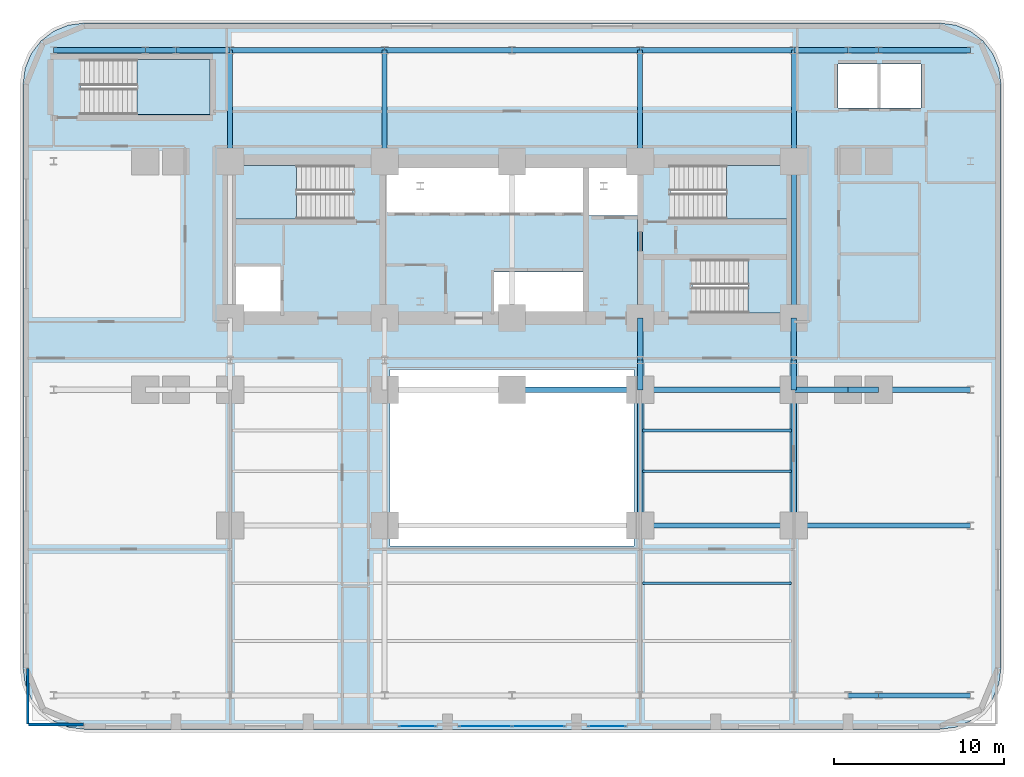
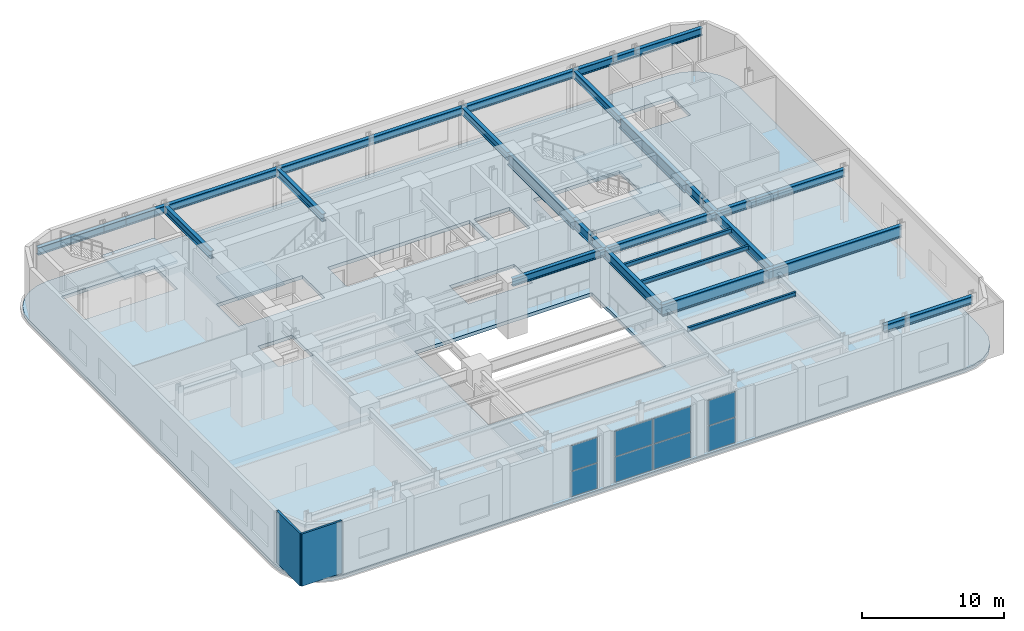
# One storey, part 5 of 16: 34 beams, 8 plates, 5 slabs, 2 walls, 7 elements without a shape of their own.
"""IFC4 building model written with IfcOpenShell, lengths in metres."""

from ifc_helpers import new_model, si_unit, direction, frame, frame_2d, origin, origin_2d, place, context, subcontext, project, spatial, polyline, rectangle, i_section, outline, extrude, material, layer, layer_set, material_profile, profile_set, type_object, element, aggregate, save


model = new_model("IFC4")

# Units and contexts
model_context = context("Model", 3, precision=1e-05, world=origin(), true_north=direction((0.0, 1.0)))
body_context = subcontext(model_context, "Body", "Model", "MODEL_VIEW")
ifc_project = project(units=[si_unit("LENGTHUNIT", "METRE"), si_unit("AREAUNIT", "SQUARE_METRE"), si_unit("VOLUMEUNIT", "CUBIC_METRE"), si_unit("PLANEANGLEUNIT", "RADIAN"), si_unit("MASSUNIT", "GRAM", prefix="KILO")], contexts=[model_context])

# Site, building, storey
site_placement = place(None, origin())
site = spatial("IfcSite", under=ifc_project, at=site_placement, CompositionType="ELEMENT")
building_placement = place(site_placement, origin())
building = spatial("IfcBuilding", under=site, at=building_placement, Name="Zarnavel Station Tower", CompositionType="ELEMENT")
storey_placement = place(building_placement, frame((0.0, 0.0, 19.39990234375)))
storey = spatial("IfcBuildingStorey", under=building, at=storey_placement, Name="L05", CompositionType="ELEMENT", Elevation=19.39990234375)

# Beams
ifc_material_1 = material(Name="Steel S355J2", Category="steel")
ifc_material_profile_1 = material_profile(ifc_material_1, i_section(OverallWidth=0.300048828125, OverallDepth=0.64990234375, WebThickness=0.01611328125, FlangeThickness=0.031005859375, FilletRadius=0.027099609375, at=origin_2d()), Name="HEB650")
ifc_profile_set_1 = profile_set([ifc_material_profile_1], Name="Steel S355J2")
beam_type_1 = type_object("IfcBeamType", Name="FG_HEB650", PredefinedType="USERDEFINED", material=ifc_profile_set_1)
for number, where, z_axis, x_axis, name in (
    (1, (12.199951171875, 37.050048828125, 4.175048828125), (0.0, 1.0, 0.0), (-1.0, 0.0, 0.0), "L05 NS Girder North 1"),
    (2, (21.300048828125, 37.050048828125, 4.175048828125), (0.0, 1.0, 0.0), (-1.0, 0.0, 0.0), "L05 NS Girder North 2"),
    (3, (36.35009765625, 37.050048828125, 4.175048828125), (0.0, 1.0, 0.0), (-1.0, 0.0, 0.0), "L05 NS Girder North 3"),
    (4, (45.39990234375, 37.050048828125, 4.175048828125), (0.0, 1.0, 0.0), (-1.0, 0.0, 0.0), "L05 NS Girder North 4"),
):
    element("IfcBeam", number, at=place(storey_placement, frame(where, z_axis=z_axis, x_axis=x_axis)), inside=storey, type_object=beam_type_1, Name=name, ObjectType="GIRDER", PredefinedType="USERDEFINED", context=body_context, shape_type="SweptSolid", body=[
        extrude(i_section(OverallWidth=0.300048828125, OverallDepth=0.64990234375, WebThickness=0.01611328125, FlangeThickness=0.031005859375, FilletRadius=0.027099609375, at=origin_2d()), origin(), (0.0, 0.0, 1.0), 6.550048828125),
    ])
beam_1_placement = place(storey_placement, frame((48.60009765625, 5.60009765625, 4.175048828125), z_axis=(1.0, 0.0, 0.0), x_axis=(0.0, 1.0, 0.0)))
element("IfcBeam", 5, at=beam_1_placement, inside=storey, type_object=beam_type_1, Name="L05 EW Frame Girder 1-9", ObjectType="GIRDER", PredefinedType="USERDEFINED", context=body_context, shape_type="SweptSolid", body=[
    extrude(i_section(OverallWidth=0.300048828125, OverallDepth=0.64990234375, WebThickness=0.01611328125, FlangeThickness=0.031005859375, FilletRadius=0.027099609375, at=origin_2d()), origin(), (0.0, 0.0, 1.0), 1.7998046875),
])
beam_2_placement = place(storey_placement, frame((50.39990234375, 5.60009765625, 4.175048828125), z_axis=(1.0, 0.0, 0.0), x_axis=(0.0, 1.0, 0.0)))
element("IfcBeam", 6, at=beam_2_placement, inside=storey, type_object=beam_type_1, Name="L05 EW Frame Girder 1-10", ObjectType="GIRDER", PredefinedType="USERDEFINED", context=body_context, shape_type="SweptSolid", body=[
    extrude(i_section(OverallWidth=0.300048828125, OverallDepth=0.64990234375, WebThickness=0.01611328125, FlangeThickness=0.031005859375, FilletRadius=0.027099609375, at=origin_2d()), origin(), (0.0, 0.0, 1.0), 5.400146484375),
])
beam_3_placement = place(storey_placement, frame((28.800048828125, 23.60009765625, 4.175048828125), z_axis=(1.0, 0.0, 0.0), x_axis=(0.0, 1.0, 0.0)))
element("IfcBeam", 7, at=beam_3_placement, inside=storey, type_object=beam_type_1, Name="L05 EW Frame Girder 2-6", ObjectType="GIRDER", PredefinedType="USERDEFINED", context=body_context, shape_type="SweptSolid", body=[
    extrude(i_section(OverallWidth=0.300048828125, OverallDepth=0.64990234375, WebThickness=0.01611328125, FlangeThickness=0.031005859375, FilletRadius=0.027099609375, at=origin_2d()), origin(), (0.0, 0.0, 1.0), 7.550048828125),
])
beam_4_placement = place(storey_placement, frame((36.35009765625, 23.60009765625, 4.175048828125), z_axis=(1.0, 0.0, 0.0), x_axis=(0.0, 1.0, 0.0)))
element("IfcBeam", 8, at=beam_4_placement, inside=storey, type_object=beam_type_1, Name="L05 EW Frame Girder 2-7", ObjectType="GIRDER", PredefinedType="USERDEFINED", context=body_context, shape_type="SweptSolid", body=[
    extrude(i_section(OverallWidth=0.300048828125, OverallDepth=0.64990234375, WebThickness=0.01611328125, FlangeThickness=0.031005859375, FilletRadius=0.027099609375, at=origin_2d()), origin(), (0.0, 0.0, 1.0), 9.0498046875),
])
beam_5_placement = place(storey_placement, frame((45.39990234375, 23.60009765625, 4.175048828125), z_axis=(1.0, 0.0, 0.0), x_axis=(0.0, 1.0, 0.0)))
element("IfcBeam", 9, at=beam_5_placement, inside=storey, type_object=beam_type_1, Name="L05 EW Frame Girder 2-8", ObjectType="GIRDER", PredefinedType="USERDEFINED", context=body_context, shape_type="SweptSolid", body=[
    extrude(i_section(OverallWidth=0.300048828125, OverallDepth=0.64990234375, WebThickness=0.01611328125, FlangeThickness=0.031005859375, FilletRadius=0.027099609375, at=origin_2d()), origin(), (0.0, 0.0, 1.0), 3.2001953125),
])
beam_6_placement = place(storey_placement, frame((48.60009765625, 23.60009765625, 4.175048828125), z_axis=(1.0, 0.0, 0.0), x_axis=(0.0, 1.0, 0.0)))
element("IfcBeam", 10, at=beam_6_placement, inside=storey, type_object=beam_type_1, Name="L05 EW Frame Girder 2-9", ObjectType="GIRDER", PredefinedType="USERDEFINED", context=body_context, shape_type="SweptSolid", body=[
    extrude(i_section(OverallWidth=0.300048828125, OverallDepth=0.64990234375, WebThickness=0.01611328125, FlangeThickness=0.031005859375, FilletRadius=0.027099609375, at=origin_2d()), origin(), (0.0, 0.0, 1.0), 1.7998046875),
])
beam_7_placement = place(storey_placement, frame((50.39990234375, 23.60009765625, 4.175048828125), z_axis=(1.0, 0.0, 0.0), x_axis=(0.0, 1.0, 0.0)))
element("IfcBeam", 11, at=beam_7_placement, inside=storey, type_object=beam_type_1, Name="L05 EW Frame Girder 2-10", ObjectType="GIRDER", PredefinedType="USERDEFINED", context=body_context, shape_type="SweptSolid", body=[
    extrude(i_section(OverallWidth=0.300048828125, OverallDepth=0.64990234375, WebThickness=0.01611328125, FlangeThickness=0.031005859375, FilletRadius=0.027099609375, at=origin_2d()), origin(), (0.0, 0.0, 1.0), 5.400146484375),
])
beam_8_placement = place(storey_placement, frame((1.800048828125, 43.60009765625, 4.175048828125), z_axis=(1.0, 0.0, 0.0), x_axis=(0.0, 1.0, 0.0)))
element("IfcBeam", 12, at=beam_8_placement, inside=storey, type_object=beam_type_1, Name="L05 EW Frame Girder 3-1", ObjectType="GIRDER", PredefinedType="USERDEFINED", context=body_context, shape_type="SweptSolid", body=[
    extrude(i_section(OverallWidth=0.300048828125, OverallDepth=0.64990234375, WebThickness=0.01611328125, FlangeThickness=0.031005859375, FilletRadius=0.027099609375, at=origin_2d()), origin(), (0.0, 0.0, 1.0), 5.39990234375),
])
beam_9_placement = place(storey_placement, frame((7.199951171875, 43.60009765625, 4.175048828125), z_axis=(1.0, 0.0, 0.0), x_axis=(0.0, 1.0, 0.0)))
element("IfcBeam", 13, at=beam_9_placement, inside=storey, type_object=beam_type_1, Name="L05 EW Frame Girder 3-2", ObjectType="GIRDER", PredefinedType="USERDEFINED", context=body_context, shape_type="SweptSolid", body=[
    extrude(i_section(OverallWidth=0.300048828125, OverallDepth=0.64990234375, WebThickness=0.01611328125, FlangeThickness=0.031005859375, FilletRadius=0.027099609375, at=origin_2d()), origin(), (0.0, 0.0, 1.0), 1.800048828125),
])
beam_10_placement = place(storey_placement, frame((9.0, 43.60009765625, 4.175048828125), z_axis=(1.0, 0.0, 0.0), x_axis=(0.0, 1.0, 0.0)))
element("IfcBeam", 14, at=beam_10_placement, inside=storey, type_object=beam_type_1, Name="L05 EW Frame Girder 3-3", ObjectType="GIRDER", PredefinedType="USERDEFINED", context=body_context, shape_type="SweptSolid", body=[
    extrude(i_section(OverallWidth=0.300048828125, OverallDepth=0.64990234375, WebThickness=0.01611328125, FlangeThickness=0.031005859375, FilletRadius=0.027099609375, at=origin_2d()), origin(), (0.0, 0.0, 1.0), 3.199951171875),
])
beam_11_placement = place(storey_placement, frame((12.199951171875, 43.60009765625, 4.175048828125), z_axis=(1.0, 0.0, 0.0), x_axis=(0.0, 1.0, 0.0)))
element("IfcBeam", 15, at=beam_11_placement, inside=storey, type_object=beam_type_1, Name="L05 EW Frame Girder 3-4", ObjectType="GIRDER", PredefinedType="USERDEFINED", context=body_context, shape_type="SweptSolid", body=[
    extrude(i_section(OverallWidth=0.300048828125, OverallDepth=0.64990234375, WebThickness=0.01611328125, FlangeThickness=0.031005859375, FilletRadius=0.027099609375, at=origin_2d()), origin(), (0.0, 0.0, 1.0), 9.10009765625),
])
beam_12_placement = place(storey_placement, frame((21.300048828125, 43.60009765625, 4.175048828125), z_axis=(1.0, 0.0, 0.0), x_axis=(0.0, 1.0, 0.0)))
element("IfcBeam", 16, at=beam_12_placement, inside=storey, type_object=beam_type_1, Name="L05 EW Frame Girder 3-5", ObjectType="GIRDER", PredefinedType="USERDEFINED", context=body_context, shape_type="SweptSolid", body=[
    extrude(i_section(OverallWidth=0.300048828125, OverallDepth=0.64990234375, WebThickness=0.01611328125, FlangeThickness=0.031005859375, FilletRadius=0.027099609375, at=origin_2d()), origin(), (0.0, 0.0, 1.0), 7.5),
])
beam_13_placement = place(storey_placement, frame((28.800048828125, 43.60009765625, 4.175048828125), z_axis=(1.0, 0.0, 0.0), x_axis=(0.0, 1.0, 0.0)))
element("IfcBeam", 17, at=beam_13_placement, inside=storey, type_object=beam_type_1, Name="L05 EW Frame Girder 3-6", ObjectType="GIRDER", PredefinedType="USERDEFINED", context=body_context, shape_type="SweptSolid", body=[
    extrude(i_section(OverallWidth=0.300048828125, OverallDepth=0.64990234375, WebThickness=0.01611328125, FlangeThickness=0.031005859375, FilletRadius=0.027099609375, at=origin_2d()), origin(), (0.0, 0.0, 1.0), 7.550048828125),
])
beam_14_placement = place(storey_placement, frame((36.35009765625, 43.60009765625, 4.175048828125), z_axis=(1.0, 0.0, 0.0), x_axis=(0.0, 1.0, 0.0)))
element("IfcBeam", 18, at=beam_14_placement, inside=storey, type_object=beam_type_1, Name="L05 EW Frame Girder 3-7", ObjectType="GIRDER", PredefinedType="USERDEFINED", context=body_context, shape_type="SweptSolid", body=[
    extrude(i_section(OverallWidth=0.300048828125, OverallDepth=0.64990234375, WebThickness=0.01611328125, FlangeThickness=0.031005859375, FilletRadius=0.027099609375, at=origin_2d()), origin(), (0.0, 0.0, 1.0), 9.0498046875),
])
beam_15_placement = place(storey_placement, frame((45.39990234375, 43.60009765625, 4.175048828125), z_axis=(1.0, 0.0, 0.0), x_axis=(0.0, 1.0, 0.0)))
element("IfcBeam", 19, at=beam_15_placement, inside=storey, type_object=beam_type_1, Name="L05 EW Frame Girder 3-8", ObjectType="GIRDER", PredefinedType="USERDEFINED", context=body_context, shape_type="SweptSolid", body=[
    extrude(i_section(OverallWidth=0.300048828125, OverallDepth=0.64990234375, WebThickness=0.01611328125, FlangeThickness=0.031005859375, FilletRadius=0.027099609375, at=origin_2d()), origin(), (0.0, 0.0, 1.0), 3.2001953125),
])
beam_16_placement = place(storey_placement, frame((48.60009765625, 43.60009765625, 4.175048828125), z_axis=(1.0, 0.0, 0.0), x_axis=(0.0, 1.0, 0.0)))
element("IfcBeam", 20, at=beam_16_placement, inside=storey, type_object=beam_type_1, Name="L05 EW Frame Girder 3-9", ObjectType="GIRDER", PredefinedType="USERDEFINED", context=body_context, shape_type="SweptSolid", body=[
    extrude(i_section(OverallWidth=0.300048828125, OverallDepth=0.64990234375, WebThickness=0.01611328125, FlangeThickness=0.031005859375, FilletRadius=0.027099609375, at=origin_2d()), origin(), (0.0, 0.0, 1.0), 1.7998046875),
])
beam_17_placement = place(storey_placement, frame((50.39990234375, 43.60009765625, 4.175048828125), z_axis=(1.0, 0.0, 0.0), x_axis=(0.0, 1.0, 0.0)))
element("IfcBeam", 21, at=beam_17_placement, inside=storey, type_object=beam_type_1, Name="L05 EW Frame Girder 3-10", ObjectType="GIRDER", PredefinedType="USERDEFINED", context=body_context, shape_type="SweptSolid", body=[
    extrude(i_section(OverallWidth=0.300048828125, OverallDepth=0.64990234375, WebThickness=0.01611328125, FlangeThickness=0.031005859375, FilletRadius=0.027099609375, at=origin_2d()), origin(), (0.0, 0.0, 1.0), 5.400146484375),
])
ifc_material_2 = material(Name="Steel S460M", Category="steel")
ifc_material_profile_2 = material_profile(ifc_material_2, i_section(OverallWidth=0.302978515625, OverallDepth=0.81396484375, WebThickness=0.02099609375, FlangeThickness=0.0400390625, FilletRadius=0.030029296875, at=origin_2d()), Name="HEM800")
ifc_profile_set_2 = profile_set([ifc_material_profile_2], Name="Steel S460M")
beam_type_2 = type_object("IfcBeamType", Name="FG_HEM800", PredefinedType="USERDEFINED", material=ifc_profile_set_2)
beam_18_placement = place(storey_placement, frame((36.35009765625, 15.60009765625, 4.093017578125), z_axis=(0.0, 1.0, 0.0), x_axis=(-1.0, 0.0, 0.0)))
element("IfcBeam", 22, at=beam_18_placement, inside=storey, type_object=beam_type_2, Name="L05 NS Girder Mid 3", ObjectType="GIRDER", PredefinedType="USERDEFINED", context=body_context, shape_type="SweptSolid", body=[
    extrude(i_section(OverallWidth=0.302978515625, OverallDepth=0.81396484375, WebThickness=0.02099609375, FlangeThickness=0.0400390625, FilletRadius=0.030029296875, at=origin_2d()), origin(), (0.0, 0.0, 1.0), 8.0),
])
beam_19_placement = place(storey_placement, frame((36.35009765625, 23.60009765625, 4.093017578125), z_axis=(0.0, 1.0, 0.0), x_axis=(-1.0, 0.0, 0.0)))
element("IfcBeam", 23, at=beam_19_placement, inside=storey, type_object=beam_type_2, Name="L05 NS Girder Spine 3", ObjectType="GIRDER", PredefinedType="USERDEFINED", context=body_context, shape_type="SweptSolid", body=[
    extrude(i_section(OverallWidth=0.302978515625, OverallDepth=0.81396484375, WebThickness=0.02099609375, FlangeThickness=0.0400390625, FilletRadius=0.030029296875, at=origin_2d()), origin(), (0.0, 0.0, 1.0), 1.75),
])
beam_20_placement = place(storey_placement, frame((36.35009765625, 25.35009765625, 4.093017578125), z_axis=(0.0, 1.0, 0.0), x_axis=(-1.0, 0.0, 0.0)))
element("IfcBeam", 24, at=beam_20_placement, inside=storey, type_object=beam_type_2, Name="L05 NS Girder Core 3", ObjectType="GIRDER", PredefinedType="USERDEFINED", context=body_context, shape_type="SweptSolid", body=[
    extrude(i_section(OverallWidth=0.302978515625, OverallDepth=0.81396484375, WebThickness=0.02099609375, FlangeThickness=0.0400390625, FilletRadius=0.030029296875, at=origin_2d()), origin(), (0.0, 0.0, 1.0), 2.469970703125),
])
beam_21_placement = place(storey_placement, frame((45.39990234375, 15.60009765625, 4.093017578125), z_axis=(0.0, 1.0, 0.0), x_axis=(-1.0, 0.0, 0.0)))
element("IfcBeam", 25, at=beam_21_placement, inside=storey, type_object=beam_type_2, Name="L05 NS Girder Mid 4", ObjectType="GIRDER", PredefinedType="USERDEFINED", context=body_context, shape_type="SweptSolid", body=[
    extrude(i_section(OverallWidth=0.302978515625, OverallDepth=0.81396484375, WebThickness=0.02099609375, FlangeThickness=0.0400390625, FilletRadius=0.030029296875, at=origin_2d()), origin(), (0.0, 0.0, 1.0), 8.0),
])
beam_22_placement = place(storey_placement, frame((45.39990234375, 23.60009765625, 4.093017578125), z_axis=(0.0, 1.0, 0.0), x_axis=(-1.0, 0.0, 0.0)))
element("IfcBeam", 26, at=beam_22_placement, inside=storey, type_object=beam_type_2, Name="L05 NS Girder Spine 4", ObjectType="GIRDER", PredefinedType="USERDEFINED", context=body_context, shape_type="SweptSolid", body=[
    extrude(i_section(OverallWidth=0.302978515625, OverallDepth=0.81396484375, WebThickness=0.02099609375, FlangeThickness=0.0400390625, FilletRadius=0.030029296875, at=origin_2d()), origin(), (0.0, 0.0, 1.0), 1.75),
])
beam_23_placement = place(storey_placement, frame((45.39990234375, 25.35009765625, 4.093017578125), z_axis=(0.0, 1.0, 0.0), x_axis=(-1.0, 0.0, 0.0)))
element("IfcBeam", 27, at=beam_23_placement, inside=storey, type_object=beam_type_2, Name="L05 NS Girder Core 4", ObjectType="GIRDER", PredefinedType="USERDEFINED", context=body_context, shape_type="SweptSolid", body=[
    extrude(i_section(OverallWidth=0.302978515625, OverallDepth=0.81396484375, WebThickness=0.02099609375, FlangeThickness=0.0400390625, FilletRadius=0.030029296875, at=origin_2d()), origin(), (0.0, 0.0, 1.0), 2.469970703125),
])
ifc_material_3 = material(Name="Steel S355J2", Category="steel")
ifc_material_profile_3 = material_profile(ifc_material_3, i_section(OverallWidth=0.169921875, OverallDepth=0.360107421875, WebThickness=0.008056640625, FlangeThickness=0.0126953125, FilletRadius=0.01806640625, at=origin_2d()), Name="IPE360")
ifc_profile_set_3 = profile_set([ifc_material_profile_3], Name="Steel S355J2")
beam_type_3 = type_object("IfcBeamType", Name="FJ_IPE360", PredefinedType="JOIST", material=ifc_profile_set_3)
for number, where, z_axis, x_axis, name in (
    (28, (36.4951171875, 12.199951171875, 4.320068359375), (1.0, 0.0, 0.0), (0.0, 1.0, 0.0), "L05 Floor Joist E2"),
    (29, (36.4951171875, 18.800048828125, 4.320068359375), (1.0, 0.0, 0.0), (0.0, 1.0, 0.0), "L05 East Joist 3"),
    (30, (36.4951171875, 21.199951171875, 4.320068359375), (1.0, 0.0, 0.0), (0.0, 1.0, 0.0), "L05 East Joist 4"),
):
    element("IfcBeam", number, at=place(storey_placement, frame(where, z_axis=z_axis, x_axis=x_axis)), inside=storey, type_object=beam_type_3, Name=name, PredefinedType="JOIST", context=body_context, shape_type="SweptSolid", body=[
        extrude(i_section(OverallWidth=0.169921875, OverallDepth=0.360107421875, WebThickness=0.008056640625, FlangeThickness=0.0126953125, FilletRadius=0.01806640625, at=origin_2d()), origin(), (0.0, 0.0, 1.0), 8.759765625),
    ])
ifc_material_4 = material(Name="Steel S460M", Category="steel")
ifc_material_profile_4 = material_profile(ifc_material_4, i_section(OverallWidth=0.302001953125, OverallDepth=1.008056640625, WebThickness=0.02099609375, FlangeThickness=0.0400390625, FilletRadius=0.030029296875, at=origin_2d()), Name="HEM1000")
ifc_profile_set_4 = profile_set([ifc_material_profile_4], Name="Steel S460M")
beam_type_4 = type_object("IfcBeamType", Name="TG_HEM1000", PredefinedType="USERDEFINED", material=ifc_profile_set_4)
for number, where, z_axis, x_axis, name in (
    (31, (36.35009765625, 27.820068359375, 3.99609375), (0.0, 1.0, 0.0), (-1.0, 0.0, 0.0), "L05 Core Spine Coupling Girder 4"),
    (32, (45.39990234375, 27.820068359375, 3.99609375), (0.0, 1.0, 0.0), (-1.0, 0.0, 0.0), "L05 Core Spine Coupling Girder 5"),
):
    element("IfcBeam", number, at=place(storey_placement, frame(where, z_axis=z_axis, x_axis=x_axis)), inside=storey, type_object=beam_type_4, Name=name, ObjectType="GIRDER", PredefinedType="USERDEFINED", context=body_context, shape_type="SweptSolid", body=[
        extrude(i_section(OverallWidth=0.302001953125, OverallDepth=1.008056640625, WebThickness=0.02099609375, FlangeThickness=0.0400390625, FilletRadius=0.030029296875, at=origin_2d()), origin(), (0.0, 0.0, 1.0), 9.22998046875),
    ])
beam_24_placement = place(storey_placement, frame((36.35009765625, 15.60009765625, 3.99609375), z_axis=(1.0, 0.0, 0.0), x_axis=(0.0, 1.0, 0.0)))
element("IfcBeam", 33, at=beam_24_placement, inside=storey, type_object=beam_type_4, Name="L05 East Hall Inner Girder", ObjectType="GIRDER", PredefinedType="USERDEFINED", context=body_context, shape_type="SweptSolid", body=[
    extrude(i_section(OverallWidth=0.302001953125, OverallDepth=1.008056640625, WebThickness=0.02099609375, FlangeThickness=0.0400390625, FilletRadius=0.030029296875, at=origin_2d()), origin(), (0.0, 0.0, 1.0), 9.0498046875),
])
beam_25_placement = place(storey_placement, frame((45.39990234375, 15.60009765625, 3.99609375), z_axis=(1.0, 0.0, 0.0), x_axis=(0.0, 1.0, 0.0)))
element("IfcBeam", 34, at=beam_25_placement, inside=storey, type_object=beam_type_4, Name="L05 East Hall Outer Girder", ObjectType="GIRDER", PredefinedType="USERDEFINED", context=body_context, shape_type="SweptSolid", body=[
    extrude(i_section(OverallWidth=0.302001953125, OverallDepth=1.008056640625, WebThickness=0.02099609375, FlangeThickness=0.0400390625, FilletRadius=0.030029296875, at=origin_2d()), origin(), (0.0, 0.0, 1.0), 10.400146484375),
])

# Curtain wall, plates
ifc_material_5 = material(Name="Aluminium Dark Anodised and Solar-Control Glass", Category="aluminium")
ifc_layer_1 = layer(ifc_material_5, 0.179931640625)
ifc_layer_set_1 = layer_set([ifc_layer_1], Name="CWS1")
curtain_wall_type = type_object("IfcCurtainWallType", Name="CWS1", PredefinedType="NOTDEFINED", material=ifc_layer_set_1)
curtain_wall_1_placement = place(storey_placement, origin())
curtain_wall_1 = element("IfcCurtainWall", 35, at=curtain_wall_1_placement, inside=storey, type_object=curtain_wall_type, Name="L05 Curtain Wall CWS1-L05-S-S1", PredefinedType="NOTDEFINED")
ifc_material_6 = material(Name="Double Low-E Dark Solar-Control Glass", Category="glass")
ifc_layer_2 = layer(ifc_material_6, 0.035888671875)
ifc_layer_set_2 = layer_set([ifc_layer_2], Name="CWS1_PNL")
plate_type = type_object("IfcPlateType", Name="CWS1_PNL", PredefinedType="CURTAIN_PANEL", material=ifc_layer_set_2)
plate_1_placement = place(storey_placement, frame((23.22802734375, 3.780029296875, 0.06005859375), z_axis=(0.0, 0.0, 1.0), x_axis=(1.0, 0.0, 0.0)))
plate_1 = element("IfcPlate", 36, at=plate_1_placement, type_object=plate_type, Name="CW1 panel 1.1", PredefinedType="CURTAIN_PANEL", context=body_context, shape_type="SweptSolid", body=[
    extrude(rectangle(XDim=2.135986328125, YDim=0.028076171875, at=origin_2d()), origin(), (0.0, 0.0, 1.0), 2.159912109375),
])
plate_2_placement = place(storey_placement, frame((23.22802734375, 3.780029296875, 2.2802734375), z_axis=(0.0, 0.0, 1.0), x_axis=(1.0, 0.0, 0.0)))
plate_2 = element("IfcPlate", 37, at=plate_2_placement, type_object=plate_type, Name="CW1 panel 1.2", PredefinedType="CURTAIN_PANEL", context=body_context, shape_type="SweptSolid", body=[
    extrude(rectangle(XDim=2.135986328125, YDim=0.028076171875, at=origin_2d()), origin(), (0.0, 0.0, 1.0), 2.159912109375),
])
aggregate(curtain_wall_1, [plate_1, plate_2])

curtain_wall_2_placement = place(storey_placement, origin())
curtain_wall_2 = element("IfcCurtainWall", 38, at=curtain_wall_2_placement, inside=storey, type_object=curtain_wall_type, Name="L05 Curtain Wall CWS1-L05-S-S2", PredefinedType="NOTDEFINED")
plate_3_placement = place(storey_placement, frame((27.237060546875, 3.780029296875, 0.06005859375), z_axis=(0.0, 0.0, 1.0), x_axis=(1.0, 0.0, 0.0)))
plate_3 = element("IfcPlate", 39, at=plate_3_placement, type_object=plate_type, Name="CW1 panel 1.1", PredefinedType="CURTAIN_PANEL", context=body_context, shape_type="SweptSolid", body=[
    extrude(rectangle(XDim=3.06591796875, YDim=0.028076171875, at=origin_2d()), origin(), (0.0, 0.0, 1.0), 2.159912109375),
])
plate_4_placement = place(storey_placement, frame((27.237060546875, 3.780029296875, 2.2802734375), z_axis=(0.0, 0.0, 1.0), x_axis=(1.0, 0.0, 0.0)))
plate_4 = element("IfcPlate", 40, at=plate_4_placement, type_object=plate_type, Name="CW1 panel 1.2", PredefinedType="CURTAIN_PANEL", context=body_context, shape_type="SweptSolid", body=[
    extrude(rectangle(XDim=3.06591796875, YDim=0.028076171875, at=origin_2d()), origin(), (0.0, 0.0, 1.0), 2.159912109375),
])
plate_5_placement = place(storey_placement, frame((30.363037109375, 3.780029296875, 0.06005859375), z_axis=(0.0, 0.0, 1.0), x_axis=(1.0, 0.0, 0.0)))
plate_5 = element("IfcPlate", 41, at=plate_5_placement, type_object=plate_type, Name="CW1 panel 2.1", PredefinedType="CURTAIN_PANEL", context=body_context, shape_type="SweptSolid", body=[
    extrude(rectangle(XDim=3.06591796875, YDim=0.028076171875, at=origin_2d()), origin(), (0.0, 0.0, 1.0), 2.159912109375),
])
plate_6_placement = place(storey_placement, frame((30.363037109375, 3.780029296875, 2.2802734375), z_axis=(0.0, 0.0, 1.0), x_axis=(1.0, 0.0, 0.0)))
plate_6 = element("IfcPlate", 42, at=plate_6_placement, type_object=plate_type, Name="CW1 panel 2.2", PredefinedType="CURTAIN_PANEL", context=body_context, shape_type="SweptSolid", body=[
    extrude(rectangle(XDim=3.06591796875, YDim=0.028076171875, at=origin_2d()), origin(), (0.0, 0.0, 1.0), 2.159912109375),
])
aggregate(curtain_wall_2, [plate_3, plate_4, plate_5, plate_6])

curtain_wall_3_placement = place(storey_placement, origin())
curtain_wall_3 = element("IfcCurtainWall", 43, at=curtain_wall_3_placement, inside=storey, type_object=curtain_wall_type, Name="L05 Curtain Wall CWS1-L05-S-S3", PredefinedType="NOTDEFINED")
plate_7_placement = place(storey_placement, frame((34.39697265625, 3.780029296875, 0.06005859375), z_axis=(0.0, 0.0, 1.0), x_axis=(1.0, 0.0, 0.0)))
plate_7 = element("IfcPlate", 44, at=plate_7_placement, type_object=plate_type, Name="CW1 panel 1.1", PredefinedType="CURTAIN_PANEL", context=body_context, shape_type="SweptSolid", body=[
    extrude(rectangle(XDim=2.18603515625, YDim=0.028076171875, at=origin_2d()), origin(), (0.0, 0.0, 1.0), 2.159912109375),
])
plate_8_placement = place(storey_placement, frame((34.39697265625, 3.780029296875, 2.2802734375), z_axis=(0.0, 0.0, 1.0), x_axis=(1.0, 0.0, 0.0)))
plate_8 = element("IfcPlate", 45, at=plate_8_placement, type_object=plate_type, Name="CW1 panel 1.2", PredefinedType="CURTAIN_PANEL", context=body_context, shape_type="SweptSolid", body=[
    extrude(rectangle(XDim=2.18603515625, YDim=0.028076171875, at=origin_2d()), origin(), (0.0, 0.0, 1.0), 2.159912109375),
])
aggregate(curtain_wall_3, [plate_7, plate_8])

# Slab
ifc_material_7 = material(Name="Concrete C45/55", Category="concrete")
ifc_layer_3 = layer(ifc_material_7, 0.300048828125)
ifc_layer_set_3 = layer_set([ifc_layer_3], Name="SL_FLR_300")
slab_type_1 = type_object("IfcSlabType", Name="SL_FLR_300", PredefinedType="FLOOR", material=ifc_layer_set_3)
slab_1_placement = place(storey_placement, frame((0.0, 0.0, -0.2998046875)))
element("IfcSlab", 46, at=slab_1_placement, inside=storey, type_object=slab_type_1, Name="L05 Structural Floor Slab", PredefinedType="FLOOR", context=body_context, shape_type="SweptSolid", body=[
    extrude(outline(polyline([(54.0, 3.60009765625), (54.931640625, 3.72265625), (55.800048828125, 4.082275390625), (56.545654296875, 4.654296875), (57.11767578125, 5.39990234375), (57.477294921875, 6.268310546875), (57.60009765625, 7.199951171875), (57.60009765625, 41.60009765625), (57.477294921875, 42.53173828125), (57.11767578125, 43.39990234375), (56.545654296875, 44.1455078125), (55.800048828125, 44.7177734375), (54.931640625, 45.077392578125), (54.0, 45.199951171875), (3.60009765625, 45.199951171875), (2.668212890625, 45.077392578125), (1.800048828125, 44.7177734375), (1.054443359375, 44.1455078125), (0.482421875, 43.39990234375), (0.122802734375, 42.53173828125), (0.0, 41.60009765625), (0.0, 7.199951171875), (0.122802734375, 6.268310546875), (0.482421875, 5.39990234375), (1.054443359375, 4.654296875), (1.800048828125, 4.082275390625), (2.668212890625, 3.72265625), (3.60009765625, 3.60009765625), (54.0, 3.60009765625)]), holes=[polyline([(12.39990234375, 33.659912109375), (19.409912109375, 33.659912109375), (19.409912109375, 36.820068359375), (12.39990234375, 36.820068359375), (12.39990234375, 33.659912109375)]), polyline([(38.14990234375, 33.659912109375), (45.159912109375, 33.659912109375), (45.159912109375, 36.820068359375), (38.14990234375, 36.820068359375), (38.14990234375, 33.659912109375)]), polyline([(39.419921875, 28.1201171875), (45.14990234375, 28.1201171875), (45.14990234375, 31.280029296875), (39.419921875, 31.280029296875), (39.419921875, 28.1201171875)]), polyline([(3.419921875, 39.800048828125), (11.0, 39.800048828125), (11.0, 43.06005859375), (3.419921875, 43.06005859375), (3.419921875, 39.800048828125)]), polyline([(12.35009765625, 27.949951171875), (15.14990234375, 27.949951171875), (15.14990234375, 30.85009765625), (12.35009765625, 30.85009765625), (12.35009765625, 27.949951171875)]), polyline([(33.320068359375, 33.85009765625), (36.2099609375, 33.85009765625), (36.2099609375, 36.780029296875), (33.320068359375, 36.780029296875), (33.320068359375, 33.85009765625)]), polyline([(21.449951171875, 34.050048828125), (32.97998046875, 34.050048828125), (32.97998046875, 36.780029296875), (21.449951171875, 36.780029296875), (21.449951171875, 34.050048828125)]), polyline([(27.75, 27.949951171875), (32.97998046875, 27.949951171875), (32.97998046875, 30.550048828125), (27.75, 30.550048828125), (27.75, 27.949951171875)]), polyline([(48.0, 40.199951171875), (52.89990234375, 40.199951171875), (52.89990234375, 42.800048828125), (48.0, 42.800048828125), (48.0, 40.199951171875)]), polyline([(21.60009765625, 14.39990234375), (36.0, 14.39990234375), (36.0, 24.800048828125), (21.60009765625, 24.800048828125), (21.60009765625, 14.39990234375)])]), origin(), (0.0, 0.0, 1.0), 0.2998046875),
])

# Stair, slab
ifc_material_8 = material(Name="Concrete C45/55", Category="concrete")
stair_type_1 = type_object("IfcStairType", Name="ST_CORE_150", PredefinedType="HALF_TURN_STAIR", material=ifc_material_8)
stair_1_placement = place(storey_placement, origin())
stair_1 = element("IfcStair", 47, at=stair_1_placement, inside=storey, type_object=stair_type_1, Name="L05 Core Exit Stair ST1", PredefinedType="HALF_TURN_STAIR")
ifc_material_9 = material(Name="Concrete C45/55", Category="concrete")
ifc_layer_4 = layer(ifc_material_9, 0.199951171875)
ifc_layer_set_4 = layer_set([ifc_layer_4], Name="SL_STAIR_LAND_200")
slab_type_2 = type_object("IfcSlabType", Name="SL_STAIR_LAND_200", PredefinedType="LANDING", material=ifc_layer_set_4)
slab_2_placement = place(storey_placement, frame((0.0, 0.0, 2.2001953125)))
slab_2 = element("IfcSlab", 48, at=slab_2_placement, type_object=slab_type_2, Name="ST1 landing 1", PredefinedType="LANDING", context=body_context, shape_type="SweptSolid", body=[
    extrude(outline(polyline([(16.1201171875, 36.820068359375), (12.39990234375, 36.820068359375), (12.39990234375, 33.659912109375), (16.1201171875, 33.659912109375), (16.1201171875, 36.820068359375)])), origin(), (0.0, 0.0, 1.0), 0.199951171875),
])
aggregate(stair_1, [slab_2])

stair_2_placement = place(storey_placement, origin())
stair_2 = element("IfcStair", 49, at=stair_2_placement, inside=storey, type_object=stair_type_1, Name="L05 Core Exit Stair ST2", PredefinedType="HALF_TURN_STAIR")
slab_3_placement = place(storey_placement, frame((0.0, 0.0, 2.2001953125)))
slab_3 = element("IfcSlab", 50, at=slab_3_placement, type_object=slab_type_2, Name="ST2 landing 1", PredefinedType="LANDING", context=body_context, shape_type="SweptSolid", body=[
    extrude(outline(polyline([(41.43994140625, 33.659912109375), (45.159912109375, 33.659912109375), (45.159912109375, 36.820068359375), (41.43994140625, 36.820068359375), (41.43994140625, 33.659912109375)])), origin(), (0.0, 0.0, 1.0), 0.199951171875),
])
aggregate(stair_2, [slab_3])

stair_3_placement = place(storey_placement, origin())
stair_3 = element("IfcStair", 51, at=stair_3_placement, inside=storey, type_object=stair_type_1, Name="L05 Core Exit Stair ST3", PredefinedType="HALF_TURN_STAIR")
slab_4_placement = place(storey_placement, frame((0.0, 0.0, 2.2001953125)))
slab_4 = element("IfcSlab", 52, at=slab_4_placement, type_object=slab_type_2, Name="ST3 landing 1", PredefinedType="LANDING", context=body_context, shape_type="SweptSolid", body=[
    extrude(outline(polyline([(42.7099609375, 28.1201171875), (45.14990234375, 28.1201171875), (45.14990234375, 31.280029296875), (42.7099609375, 31.280029296875), (42.7099609375, 28.1201171875)])), origin(), (0.0, 0.0, 1.0), 0.199951171875),
])
aggregate(stair_3, [slab_4])

ifc_material_10 = material(Name="Concrete C45/55", Category="concrete")
stair_type_2 = type_object("IfcStairType", Name="ST_POD_155", PredefinedType="HALF_TURN_STAIR", material=ifc_material_10)
stair_4_placement = place(storey_placement, origin())
stair_4 = element("IfcStair", 53, at=stair_4_placement, inside=storey, type_object=stair_type_2, Name="L05 Core Exit Stair ST4", PredefinedType="HALF_TURN_STAIR")
slab_5_placement = place(storey_placement, frame((0.0, 0.0, 2.2001953125)))
slab_5 = element("IfcSlab", 54, at=slab_5_placement, type_object=slab_type_2, Name="ST4 landing 1", PredefinedType="LANDING", context=body_context, shape_type="SweptSolid", body=[
    extrude(outline(polyline([(6.7099609375, 39.800048828125), (11.0, 39.800048828125), (11.0, 43.06005859375), (6.7099609375, 43.06005859375), (6.7099609375, 39.800048828125)])), origin(), (0.0, 0.0, 1.0), 0.199951171875),
])
aggregate(stair_4, [slab_5])

# Walls
ifc_material_11 = material(Name="Gypsum Twin-Stud Acoustic Fire Partition", Category="concrete")
ifc_layer_5 = layer(ifc_material_11, 0.159912109375)
ifc_layer_set_5 = layer_set([ifc_layer_5], Name="PT_DEMISE_160")
wall_type = type_object("IfcWallType", Name="PT_DEMISE_160", PredefinedType="PARTITIONING", material=ifc_layer_set_5)
for number, where, z_axis, x_axis, name in (
    (55, (0.31005859375, 3.8798828125, 0.0), (0.0, 0.0, 1.0), (1.0, 0.0, 0.0), "L05 Enclosure Wall BALLV"),
    (56, (0.280029296875, 3.909912109375, 0.0), (0.0, 0.0, 1.0), (0.0, 1.0, 0.0), "L05 Enclosure Wall BALLV"),
):
    element("IfcWall", number, at=place(storey_placement, frame(where, z_axis=z_axis, x_axis=x_axis)), inside=storey, type_object=wall_type, Name=name, PredefinedType="PARTITIONING", context=body_context, shape_type="SweptSolid", body=[
        extrude(rectangle(XDim=3.260009765625, YDim=0.159912109375, at=frame_2d((1.6298828125, 0.0))), origin(), (0.0, 0.0, 1.0), 4.5),
    ])

save(model, "model.ifc")
